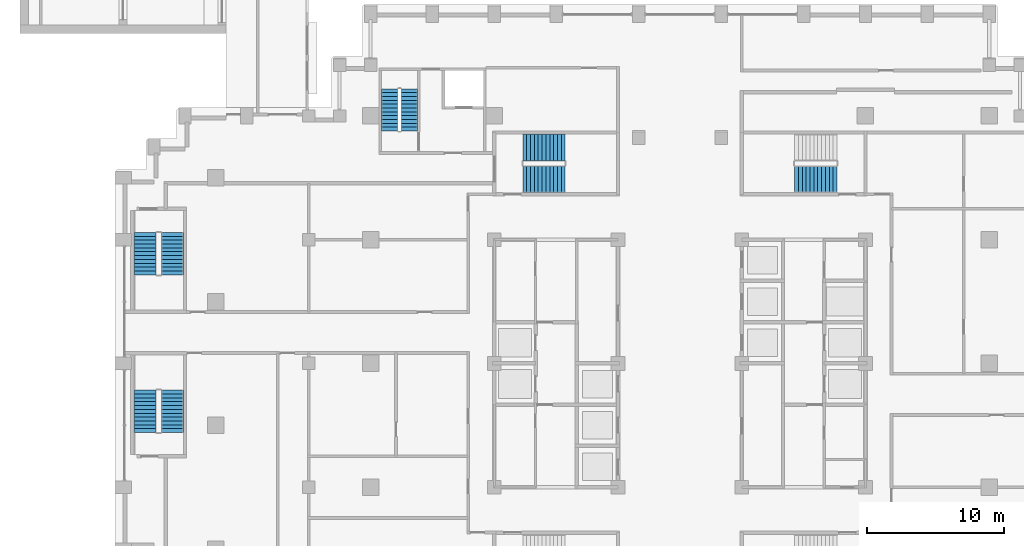
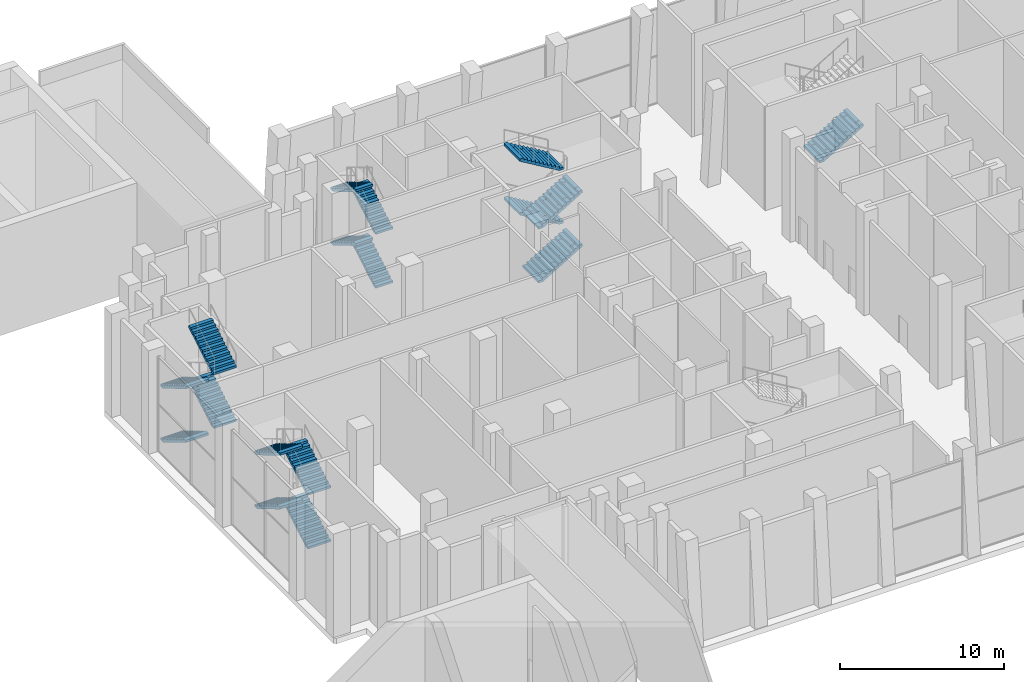
# One storey, part 18 of 24: 17 stair flights, 5 elements without a shape of their own.
"""IFC4 building model written with IfcOpenShell, lengths in metres."""

from ifc_helpers import new_model, si_unit, direction, frame, origin, place, context, subcontext, project, spatial, polyline, outline, extrude, material, type_object, element, aggregate, save


model = new_model("IFC4")

# Units and contexts
model_context = context("Model", 3, precision=1e-05, world=origin(), true_north=direction((0.0, 1.0)))
body_context = subcontext(model_context, "Body", "Model", "MODEL_VIEW")
ifc_project = project(units=[si_unit("LENGTHUNIT", "METRE"), si_unit("AREAUNIT", "SQUARE_METRE"), si_unit("VOLUMEUNIT", "CUBIC_METRE"), si_unit("PLANEANGLEUNIT", "RADIAN"), si_unit("MASSUNIT", "GRAM", prefix="KILO")], contexts=[model_context])

# Site, building, storey
site_placement = place(None, origin())
site = spatial("IfcSite", under=ifc_project, at=site_placement, CompositionType="ELEMENT")
building_placement = place(site_placement, origin())
building = spatial("IfcBuilding", under=site, at=building_placement, Name="Corbelhall Arena Tower", CompositionType="ELEMENT")
storey_placement = place(building_placement, frame((0.0, 0.0, 60.0)))
storey = spatial("IfcBuildingStorey", under=building, at=storey_placement, Name="L08", CompositionType="ELEMENT", Elevation=60.0)

# Stair, stair flights
ifc_material = material(Name="Concrete C40/50", Category="concrete")
stair_type = type_object("IfcStairType", Name="IN-ST-TOWER", PredefinedType="HALF_TURN_STAIR", material=ifc_material)
stair_1_placement = place(storey_placement, origin())
stair_1 = element("IfcStair", 1, at=stair_1_placement, inside=storey, type_object=stair_type, Name="L08 Exit stair ST1", PredefinedType="HALF_TURN_STAIR")
stair_flight_type = type_object("IfcStairFlightType", Name="IN-SFL-RC", PredefinedType="STRAIGHT", material=ifc_material)
stair_flight_1_placement = place(storey_placement, frame((-11.425048828125, 13.39990234375, 0.0), z_axis=(0.0, 0.0, 1.0), x_axis=(1.0, 0.0, 0.0)))
stair_flight_1 = element("IfcStairFlight", 2, at=stair_flight_1_placement, type_object=stair_flight_type, Name="ST1 flight 1", NumberOfRisers=12, NumberOfTreads=11, PredefinedType="STRAIGHT", RiserHeight=0.166666667, TreadLength=0.28, context=body_context, shape_type="SweptSolid", body=[
    extrude(outline(polyline([(0.0, 0.0), (0.0, 0.166748046875), (0.280029296875, 0.166748046875), (0.280029296875, 0.333251953125), (0.56005859375, 0.333251953125), (0.56005859375, 0.5), (0.840087890625, 0.5), (0.840087890625, 0.666748046875), (1.1201171875, 0.666748046875), (1.1201171875, 0.833251953125), (1.39990234375, 0.833251953125), (1.39990234375, 1.0), (1.679931640625, 1.0), (1.679931640625, 1.166748046875), (1.9599609375, 1.166748046875), (1.9599609375, 1.333251953125), (2.239990234375, 1.333251953125), (2.239990234375, 1.5), (2.52001953125, 1.5), (2.52001953125, 1.666748046875), (2.800048828125, 1.666748046875), (2.800048828125, 1.833251953125), (3.080078125, 1.833251953125), (3.080078125, 2.0), (3.080078125, 1.658935546875), (0.29296875, 0.0), (0.0, 0.0)])), frame((0.0, 0.97509765625, 0.0), z_axis=(0.0, -1.0, 0.0), x_axis=(1.0, 0.0, 0.0)), (0.0, 0.0, 1.0), 0.449951171875),
    extrude(outline(polyline([(0.0, 0.0), (0.0, 0.166748046875), (0.280029296875, 0.166748046875), (0.280029296875, 0.333251953125), (0.56005859375, 0.333251953125), (0.56005859375, 0.5), (0.840087890625, 0.5), (0.840087890625, 0.666748046875), (1.1201171875, 0.666748046875), (1.1201171875, 0.833251953125), (1.39990234375, 0.833251953125), (1.39990234375, 1.0), (1.679931640625, 1.0), (1.679931640625, 1.166748046875), (1.9599609375, 1.166748046875), (1.9599609375, 1.333251953125), (2.239990234375, 1.333251953125), (2.239990234375, 1.5), (2.52001953125, 1.5), (2.52001953125, 1.666748046875), (2.800048828125, 1.666748046875), (2.800048828125, 1.833251953125), (3.080078125, 1.833251953125), (3.080078125, 2.0), (3.080078125, 1.658935546875), (0.29296875, 0.0), (0.0, 0.0)])), frame((0.0, 0.52099609375, 0.0), z_axis=(0.0, -1.0, 0.0), x_axis=(1.0, 0.0, 0.0)), (0.0, 0.0, 1.0), 1.0419921875),
    extrude(outline(polyline([(0.0, 0.0), (0.0, 0.166748046875), (0.280029296875, 0.166748046875), (0.280029296875, 0.333251953125), (0.56005859375, 0.333251953125), (0.56005859375, 0.5), (0.840087890625, 0.5), (0.840087890625, 0.666748046875), (1.1201171875, 0.666748046875), (1.1201171875, 0.833251953125), (1.39990234375, 0.833251953125), (1.39990234375, 1.0), (1.679931640625, 1.0), (1.679931640625, 1.166748046875), (1.9599609375, 1.166748046875), (1.9599609375, 1.333251953125), (2.239990234375, 1.333251953125), (2.239990234375, 1.5), (2.52001953125, 1.5), (2.52001953125, 1.666748046875), (2.800048828125, 1.666748046875), (2.800048828125, 1.833251953125), (3.080078125, 1.833251953125), (3.080078125, 2.0), (3.080078125, 1.658935546875), (0.29296875, 0.0), (0.0, 0.0)])), frame((0.0, -0.52490234375, 0.0), z_axis=(0.0, -1.0, 0.0), x_axis=(1.0, 0.0, 0.0)), (0.0, 0.0, 1.0), 0.449951171875),
])
stair_flight_2_placement = place(storey_placement, frame((-8.344970703125, 15.699951171875, 2.0), z_axis=(0.0, 0.0, 1.0), x_axis=(-1.0, 0.0, 0.0)))
stair_flight_2 = element("IfcStairFlight", 3, at=stair_flight_2_placement, type_object=stair_flight_type, Name="ST1 flight 2", NumberOfRisers=12, NumberOfTreads=11, PredefinedType="STRAIGHT", RiserHeight=0.166666667, TreadLength=0.28, context=body_context, shape_type="SweptSolid", body=[
    extrude(outline(polyline([(0.0, 0.0), (0.0, 0.166748046875), (0.280029296875, 0.166748046875), (0.280029296875, 0.333251953125), (0.56005859375, 0.333251953125), (0.56005859375, 0.5), (0.840087890625, 0.5), (0.840087890625, 0.666748046875), (1.1201171875, 0.666748046875), (1.1201171875, 0.833251953125), (1.39990234375, 0.833251953125), (1.39990234375, 1.0), (1.679931640625, 1.0), (1.679931640625, 1.166748046875), (1.9599609375, 1.166748046875), (1.9599609375, 1.333251953125), (2.239990234375, 1.333251953125), (2.239990234375, 1.5), (2.52001953125, 1.5), (2.52001953125, 1.666748046875), (2.800048828125, 1.666748046875), (2.800048828125, 1.833251953125), (3.080078125, 1.833251953125), (3.080078125, 2.0), (3.080078125, 1.658935546875), (0.29296875, 0.0), (0.0, 0.0)])), frame((0.0, 0.97509765625, 0.0), z_axis=(0.0, -1.0, 0.0), x_axis=(1.0, 0.0, 0.0)), (0.0, 0.0, 1.0), 0.449951171875),
    extrude(outline(polyline([(0.0, 0.0), (0.0, 0.166748046875), (0.280029296875, 0.166748046875), (0.280029296875, 0.333251953125), (0.56005859375, 0.333251953125), (0.56005859375, 0.5), (0.840087890625, 0.5), (0.840087890625, 0.666748046875), (1.1201171875, 0.666748046875), (1.1201171875, 0.833251953125), (1.39990234375, 0.833251953125), (1.39990234375, 1.0), (1.679931640625, 1.0), (1.679931640625, 1.166748046875), (1.9599609375, 1.166748046875), (1.9599609375, 1.333251953125), (2.239990234375, 1.333251953125), (2.239990234375, 1.5), (2.52001953125, 1.5), (2.52001953125, 1.666748046875), (2.800048828125, 1.666748046875), (2.800048828125, 1.833251953125), (3.080078125, 1.833251953125), (3.080078125, 2.0), (3.080078125, 1.658935546875), (0.29296875, 0.0), (0.0, 0.0)])), frame((0.0, 0.52099609375, 0.0), z_axis=(0.0, -1.0, 0.0), x_axis=(1.0, 0.0, 0.0)), (0.0, 0.0, 1.0), 1.0419921875),
    extrude(outline(polyline([(0.0, 0.0), (0.0, 0.166748046875), (0.280029296875, 0.166748046875), (0.280029296875, 0.333251953125), (0.56005859375, 0.333251953125), (0.56005859375, 0.5), (0.840087890625, 0.5), (0.840087890625, 0.666748046875), (1.1201171875, 0.666748046875), (1.1201171875, 0.833251953125), (1.39990234375, 0.833251953125), (1.39990234375, 1.0), (1.679931640625, 1.0), (1.679931640625, 1.166748046875), (1.9599609375, 1.166748046875), (1.9599609375, 1.333251953125), (2.239990234375, 1.333251953125), (2.239990234375, 1.5), (2.52001953125, 1.5), (2.52001953125, 1.666748046875), (2.800048828125, 1.666748046875), (2.800048828125, 1.833251953125), (3.080078125, 1.833251953125), (3.080078125, 2.0), (3.080078125, 1.658935546875), (0.29296875, 0.0), (0.0, 0.0)])), frame((0.0, -0.52490234375, 0.0), z_axis=(0.0, -1.0, 0.0), x_axis=(1.0, 0.0, 0.0)), (0.0, 0.0, 1.0), 0.449951171875),
])
stair_flight_3_placement = place(storey_placement, frame((-11.425048828125, 13.39990234375, 4.0), z_axis=(0.0, 0.0, 1.0), x_axis=(1.0, 0.0, 0.0)))
stair_flight_3 = element("IfcStairFlight", 4, at=stair_flight_3_placement, type_object=stair_flight_type, Name="ST1 flight 3", NumberOfRisers=12, NumberOfTreads=11, PredefinedType="STRAIGHT", RiserHeight=0.166666667, TreadLength=0.28, context=body_context, shape_type="SweptSolid", body=[
    extrude(outline(polyline([(0.0, 0.0), (0.0, 0.166748046875), (0.280029296875, 0.166748046875), (0.280029296875, 0.333251953125), (0.56005859375, 0.333251953125), (0.56005859375, 0.5), (0.840087890625, 0.5), (0.840087890625, 0.666748046875), (1.1201171875, 0.666748046875), (1.1201171875, 0.833251953125), (1.39990234375, 0.833251953125), (1.39990234375, 1.0), (1.679931640625, 1.0), (1.679931640625, 1.166748046875), (1.9599609375, 1.166748046875), (1.9599609375, 1.333251953125), (2.239990234375, 1.333251953125), (2.239990234375, 1.5), (2.52001953125, 1.5), (2.52001953125, 1.666748046875), (2.800048828125, 1.666748046875), (2.800048828125, 1.833251953125), (3.080078125, 1.833251953125), (3.080078125, 2.0), (3.080078125, 1.658935546875), (0.29296875, 0.0), (0.0, 0.0)])), frame((0.0, 0.97509765625, 0.0), z_axis=(0.0, -1.0, 0.0), x_axis=(1.0, 0.0, 0.0)), (0.0, 0.0, 1.0), 0.449951171875),
    extrude(outline(polyline([(0.0, 0.0), (0.0, 0.166748046875), (0.280029296875, 0.166748046875), (0.280029296875, 0.333251953125), (0.56005859375, 0.333251953125), (0.56005859375, 0.5), (0.840087890625, 0.5), (0.840087890625, 0.666748046875), (1.1201171875, 0.666748046875), (1.1201171875, 0.833251953125), (1.39990234375, 0.833251953125), (1.39990234375, 1.0), (1.679931640625, 1.0), (1.679931640625, 1.166748046875), (1.9599609375, 1.166748046875), (1.9599609375, 1.333251953125), (2.239990234375, 1.333251953125), (2.239990234375, 1.5), (2.52001953125, 1.5), (2.52001953125, 1.666748046875), (2.800048828125, 1.666748046875), (2.800048828125, 1.833251953125), (3.080078125, 1.833251953125), (3.080078125, 2.0), (3.080078125, 1.658935546875), (0.29296875, 0.0), (0.0, 0.0)])), frame((0.0, 0.52099609375, 0.0), z_axis=(0.0, -1.0, 0.0), x_axis=(1.0, 0.0, 0.0)), (0.0, 0.0, 1.0), 1.0419921875),
    extrude(outline(polyline([(0.0, 0.0), (0.0, 0.166748046875), (0.280029296875, 0.166748046875), (0.280029296875, 0.333251953125), (0.56005859375, 0.333251953125), (0.56005859375, 0.5), (0.840087890625, 0.5), (0.840087890625, 0.666748046875), (1.1201171875, 0.666748046875), (1.1201171875, 0.833251953125), (1.39990234375, 0.833251953125), (1.39990234375, 1.0), (1.679931640625, 1.0), (1.679931640625, 1.166748046875), (1.9599609375, 1.166748046875), (1.9599609375, 1.333251953125), (2.239990234375, 1.333251953125), (2.239990234375, 1.5), (2.52001953125, 1.5), (2.52001953125, 1.666748046875), (2.800048828125, 1.666748046875), (2.800048828125, 1.833251953125), (3.080078125, 1.833251953125), (3.080078125, 2.0), (3.080078125, 1.658935546875), (0.29296875, 0.0), (0.0, 0.0)])), frame((0.0, -0.52490234375, 0.0), z_axis=(0.0, -1.0, 0.0), x_axis=(1.0, 0.0, 0.0)), (0.0, 0.0, 1.0), 0.449951171875),
])
stair_flight_4_placement = place(storey_placement, frame((-8.344970703125, 15.699951171875, 6.0), z_axis=(0.0, 0.0, 1.0), x_axis=(-1.0, 0.0, 0.0)))
stair_flight_4 = element("IfcStairFlight", 5, at=stair_flight_4_placement, type_object=stair_flight_type, Name="ST1 flight 4", NumberOfRisers=12, NumberOfTreads=11, PredefinedType="STRAIGHT", RiserHeight=0.166666667, TreadLength=0.28, context=body_context, shape_type="SweptSolid", body=[
    extrude(outline(polyline([(0.0, 0.0), (0.0, 0.166748046875), (0.280029296875, 0.166748046875), (0.280029296875, 0.333251953125), (0.56005859375, 0.333251953125), (0.56005859375, 0.5), (0.840087890625, 0.5), (0.840087890625, 0.666748046875), (1.1201171875, 0.666748046875), (1.1201171875, 0.833251953125), (1.39990234375, 0.833251953125), (1.39990234375, 1.0), (1.679931640625, 1.0), (1.679931640625, 1.166748046875), (1.9599609375, 1.166748046875), (1.9599609375, 1.333251953125), (2.239990234375, 1.333251953125), (2.239990234375, 1.5), (2.52001953125, 1.5), (2.52001953125, 1.666748046875), (2.800048828125, 1.666748046875), (2.800048828125, 1.833251953125), (3.080078125, 1.833251953125), (3.080078125, 2.0), (3.080078125, 1.658935546875), (0.29296875, 0.0), (0.0, 0.0)])), frame((0.0, 0.97509765625, 0.0), z_axis=(0.0, -1.0, 0.0), x_axis=(1.0, 0.0, 0.0)), (0.0, 0.0, 1.0), 0.449951171875),
    extrude(outline(polyline([(0.0, 0.0), (0.0, 0.166748046875), (0.280029296875, 0.166748046875), (0.280029296875, 0.333251953125), (0.56005859375, 0.333251953125), (0.56005859375, 0.5), (0.840087890625, 0.5), (0.840087890625, 0.666748046875), (1.1201171875, 0.666748046875), (1.1201171875, 0.833251953125), (1.39990234375, 0.833251953125), (1.39990234375, 1.0), (1.679931640625, 1.0), (1.679931640625, 1.166748046875), (1.9599609375, 1.166748046875), (1.9599609375, 1.333251953125), (2.239990234375, 1.333251953125), (2.239990234375, 1.5), (2.52001953125, 1.5), (2.52001953125, 1.666748046875), (2.800048828125, 1.666748046875), (2.800048828125, 1.833251953125), (3.080078125, 1.833251953125), (3.080078125, 2.0), (3.080078125, 1.658935546875), (0.29296875, 0.0), (0.0, 0.0)])), frame((0.0, 0.52099609375, 0.0), z_axis=(0.0, -1.0, 0.0), x_axis=(1.0, 0.0, 0.0)), (0.0, 0.0, 1.0), 1.0419921875),
    extrude(outline(polyline([(0.0, 0.0), (0.0, 0.166748046875), (0.280029296875, 0.166748046875), (0.280029296875, 0.333251953125), (0.56005859375, 0.333251953125), (0.56005859375, 0.5), (0.840087890625, 0.5), (0.840087890625, 0.666748046875), (1.1201171875, 0.666748046875), (1.1201171875, 0.833251953125), (1.39990234375, 0.833251953125), (1.39990234375, 1.0), (1.679931640625, 1.0), (1.679931640625, 1.166748046875), (1.9599609375, 1.166748046875), (1.9599609375, 1.333251953125), (2.239990234375, 1.333251953125), (2.239990234375, 1.5), (2.52001953125, 1.5), (2.52001953125, 1.666748046875), (2.800048828125, 1.666748046875), (2.800048828125, 1.833251953125), (3.080078125, 1.833251953125), (3.080078125, 2.0), (3.080078125, 1.658935546875), (0.29296875, 0.0), (0.0, 0.0)])), frame((0.0, -0.52490234375, 0.0), z_axis=(0.0, -1.0, 0.0), x_axis=(1.0, 0.0, 0.0)), (0.0, 0.0, 1.0), 0.449951171875),
])
aggregate(stair_1, [stair_flight_1, stair_flight_2, stair_flight_3, stair_flight_4])

# Stair, stair flight
stair_2_placement = place(storey_placement, origin())
stair_2 = element("IfcStair", 6, at=stair_2_placement, inside=storey, type_object=stair_type, Name="L08 Exit stair ST3", PredefinedType="HALF_TURN_STAIR")
stair_flight_5_placement = place(storey_placement, frame((8.344970703125, 13.39990234375, 2.0), z_axis=(0.0, 0.0, 1.0), x_axis=(1.0, 0.0, 0.0)))
stair_flight_5 = element("IfcStairFlight", 7, at=stair_flight_5_placement, type_object=stair_flight_type, Name="ST3 flight 2", NumberOfRisers=12, NumberOfTreads=11, PredefinedType="STRAIGHT", RiserHeight=0.166666667, TreadLength=0.28, context=body_context, shape_type="SweptSolid", body=[
    extrude(outline(polyline([(0.0, 0.0), (0.0, 0.166748046875), (0.280029296875, 0.166748046875), (0.280029296875, 0.333251953125), (0.56005859375, 0.333251953125), (0.56005859375, 0.5), (0.840087890625, 0.5), (0.840087890625, 0.666748046875), (1.1201171875, 0.666748046875), (1.1201171875, 0.833251953125), (1.39990234375, 0.833251953125), (1.39990234375, 1.0), (1.679931640625, 1.0), (1.679931640625, 1.166748046875), (1.9599609375, 1.166748046875), (1.9599609375, 1.333251953125), (2.239990234375, 1.333251953125), (2.239990234375, 1.5), (2.52001953125, 1.5), (2.52001953125, 1.666748046875), (2.800048828125, 1.666748046875), (2.800048828125, 1.833251953125), (3.080078125, 1.833251953125), (3.080078125, 2.0), (3.080078125, 1.658935546875), (0.29296875, 0.0), (0.0, 0.0)])), frame((0.0, 0.97509765625, 0.0), z_axis=(0.0, -1.0, 0.0), x_axis=(1.0, 0.0, 0.0)), (0.0, 0.0, 1.0), 0.449951171875),
    extrude(outline(polyline([(0.0, 0.0), (0.0, 0.166748046875), (0.280029296875, 0.166748046875), (0.280029296875, 0.333251953125), (0.56005859375, 0.333251953125), (0.56005859375, 0.5), (0.840087890625, 0.5), (0.840087890625, 0.666748046875), (1.1201171875, 0.666748046875), (1.1201171875, 0.833251953125), (1.39990234375, 0.833251953125), (1.39990234375, 1.0), (1.679931640625, 1.0), (1.679931640625, 1.166748046875), (1.9599609375, 1.166748046875), (1.9599609375, 1.333251953125), (2.239990234375, 1.333251953125), (2.239990234375, 1.5), (2.52001953125, 1.5), (2.52001953125, 1.666748046875), (2.800048828125, 1.666748046875), (2.800048828125, 1.833251953125), (3.080078125, 1.833251953125), (3.080078125, 2.0), (3.080078125, 1.658935546875), (0.29296875, 0.0), (0.0, 0.0)])), frame((0.0, 0.52099609375, 0.0), z_axis=(0.0, -1.0, 0.0), x_axis=(1.0, 0.0, 0.0)), (0.0, 0.0, 1.0), 1.0419921875),
    extrude(outline(polyline([(0.0, 0.0), (0.0, 0.166748046875), (0.280029296875, 0.166748046875), (0.280029296875, 0.333251953125), (0.56005859375, 0.333251953125), (0.56005859375, 0.5), (0.840087890625, 0.5), (0.840087890625, 0.666748046875), (1.1201171875, 0.666748046875), (1.1201171875, 0.833251953125), (1.39990234375, 0.833251953125), (1.39990234375, 1.0), (1.679931640625, 1.0), (1.679931640625, 1.166748046875), (1.9599609375, 1.166748046875), (1.9599609375, 1.333251953125), (2.239990234375, 1.333251953125), (2.239990234375, 1.5), (2.52001953125, 1.5), (2.52001953125, 1.666748046875), (2.800048828125, 1.666748046875), (2.800048828125, 1.833251953125), (3.080078125, 1.833251953125), (3.080078125, 2.0), (3.080078125, 1.658935546875), (0.29296875, 0.0), (0.0, 0.0)])), frame((0.0, -0.52490234375, 0.0), z_axis=(0.0, -1.0, 0.0), x_axis=(1.0, 0.0, 0.0)), (0.0, 0.0, 1.0), 0.449951171875),
])
aggregate(stair_2, [stair_flight_5])

# Stair, stair flights
stair_3_placement = place(storey_placement, origin())
stair_3 = element("IfcStair", 8, at=stair_3_placement, inside=storey, type_object=stair_type, Name="L08 Exit stair SC1", PredefinedType="HALF_TURN_STAIR")
stair_flight_6_placement = place(storey_placement, frame((-38.89990234375, 9.52490234375, 0.0), z_axis=(0.0, 0.0, 1.0), x_axis=(0.0, -1.0, 0.0)))
stair_flight_6 = element("IfcStairFlight", 9, at=stair_flight_6_placement, type_object=stair_flight_type, Name="SC1 flight 1", NumberOfRisers=12, NumberOfTreads=11, PredefinedType="STRAIGHT", RiserHeight=0.166666667, TreadLength=0.28, context=body_context, shape_type="SweptSolid", body=[
    extrude(outline(polyline([(0.0, 0.0), (0.0, 0.166748046875), (0.280029296875, 0.166748046875), (0.280029296875, 0.333251953125), (0.56005859375, 0.333251953125), (0.56005859375, 0.5), (0.840087890625, 0.5), (0.840087890625, 0.666748046875), (1.1201171875, 0.666748046875), (1.1201171875, 0.833251953125), (1.39990234375, 0.833251953125), (1.39990234375, 1.0), (1.679931640625, 1.0), (1.679931640625, 1.166748046875), (1.9599609375, 1.166748046875), (1.9599609375, 1.333251953125), (2.239990234375, 1.333251953125), (2.239990234375, 1.5), (2.52001953125, 1.5), (2.52001953125, 1.666748046875), (2.800048828125, 1.666748046875), (2.800048828125, 1.833251953125), (3.080078125, 1.833251953125), (3.080078125, 2.0), (3.080078125, 1.658935546875), (0.29296875, 0.0), (0.0, 0.0)])), frame((0.0, 0.800048828125, 0.0), z_axis=(0.0, -1.0, 0.0), x_axis=(1.0, 0.0, 0.0)), (0.0, 0.0, 1.0), 1.60009765625),
])
stair_flight_7_placement = place(storey_placement, frame((-36.925048828125, 6.445068359375, 2.0), z_axis=(0.0, 0.0, 1.0), x_axis=(0.0, 1.0, 0.0)))
stair_flight_7 = element("IfcStairFlight", 10, at=stair_flight_7_placement, type_object=stair_flight_type, Name="SC1 flight 2", NumberOfRisers=12, NumberOfTreads=11, PredefinedType="STRAIGHT", RiserHeight=0.166666667, TreadLength=0.28, context=body_context, shape_type="SweptSolid", body=[
    extrude(outline(polyline([(0.0, 0.0), (0.0, 0.166748046875), (0.280029296875, 0.166748046875), (0.280029296875, 0.333251953125), (0.56005859375, 0.333251953125), (0.56005859375, 0.5), (0.840087890625, 0.5), (0.840087890625, 0.666748046875), (1.1201171875, 0.666748046875), (1.1201171875, 0.833251953125), (1.39990234375, 0.833251953125), (1.39990234375, 1.0), (1.679931640625, 1.0), (1.679931640625, 1.166748046875), (1.9599609375, 1.166748046875), (1.9599609375, 1.333251953125), (2.239990234375, 1.333251953125), (2.239990234375, 1.5), (2.52001953125, 1.5), (2.52001953125, 1.666748046875), (2.800048828125, 1.666748046875), (2.800048828125, 1.833251953125), (3.080078125, 1.833251953125), (3.080078125, 2.0), (3.080078125, 1.658935546875), (0.29296875, 0.0), (0.0, 0.0)])), frame((0.0, 0.800048828125, 0.0), z_axis=(0.0, -1.0, 0.0), x_axis=(1.0, 0.0, 0.0)), (0.0, 0.0, 1.0), 1.60009765625),
])
stair_flight_8_placement = place(storey_placement, frame((-38.89990234375, 9.52490234375, 4.0), z_axis=(0.0, 0.0, 1.0), x_axis=(0.0, -1.0, 0.0)))
stair_flight_8 = element("IfcStairFlight", 11, at=stair_flight_8_placement, type_object=stair_flight_type, Name="SC1 flight 3", NumberOfRisers=12, NumberOfTreads=11, PredefinedType="STRAIGHT", RiserHeight=0.166666667, TreadLength=0.28, context=body_context, shape_type="SweptSolid", body=[
    extrude(outline(polyline([(0.0, 0.0), (0.0, 0.166748046875), (0.280029296875, 0.166748046875), (0.280029296875, 0.333251953125), (0.56005859375, 0.333251953125), (0.56005859375, 0.5), (0.840087890625, 0.5), (0.840087890625, 0.666748046875), (1.1201171875, 0.666748046875), (1.1201171875, 0.833251953125), (1.39990234375, 0.833251953125), (1.39990234375, 1.0), (1.679931640625, 1.0), (1.679931640625, 1.166748046875), (1.9599609375, 1.166748046875), (1.9599609375, 1.333251953125), (2.239990234375, 1.333251953125), (2.239990234375, 1.5), (2.52001953125, 1.5), (2.52001953125, 1.666748046875), (2.800048828125, 1.666748046875), (2.800048828125, 1.833251953125), (3.080078125, 1.833251953125), (3.080078125, 2.0), (3.080078125, 1.658935546875), (0.29296875, 0.0), (0.0, 0.0)])), frame((0.0, 0.800048828125, 0.0), z_axis=(0.0, -1.0, 0.0), x_axis=(1.0, 0.0, 0.0)), (0.0, 0.0, 1.0), 1.60009765625),
])
stair_flight_9_placement = place(storey_placement, frame((-36.925048828125, 6.445068359375, 6.0), z_axis=(0.0, 0.0, 1.0), x_axis=(0.0, 1.0, 0.0)))
stair_flight_9 = element("IfcStairFlight", 12, at=stair_flight_9_placement, type_object=stair_flight_type, Name="SC1 flight 4", NumberOfRisers=12, NumberOfTreads=11, PredefinedType="STRAIGHT", RiserHeight=0.166666667, TreadLength=0.28, context=body_context, shape_type="SweptSolid", body=[
    extrude(outline(polyline([(0.0, 0.0), (0.0, 0.166748046875), (0.280029296875, 0.166748046875), (0.280029296875, 0.333251953125), (0.56005859375, 0.333251953125), (0.56005859375, 0.5), (0.840087890625, 0.5), (0.840087890625, 0.666748046875), (1.1201171875, 0.666748046875), (1.1201171875, 0.833251953125), (1.39990234375, 0.833251953125), (1.39990234375, 1.0), (1.679931640625, 1.0), (1.679931640625, 1.166748046875), (1.9599609375, 1.166748046875), (1.9599609375, 1.333251953125), (2.239990234375, 1.333251953125), (2.239990234375, 1.5), (2.52001953125, 1.5), (2.52001953125, 1.666748046875), (2.800048828125, 1.666748046875), (2.800048828125, 1.833251953125), (3.080078125, 1.833251953125), (3.080078125, 2.0), (3.080078125, 1.658935546875), (0.29296875, 0.0), (0.0, 0.0)])), frame((0.0, 0.800048828125, 0.0), z_axis=(0.0, -1.0, 0.0), x_axis=(1.0, 0.0, 0.0)), (0.0, 0.0, 1.0), 1.60009765625),
])
aggregate(stair_3, [stair_flight_6, stair_flight_7, stair_flight_8, stair_flight_9])

stair_4_placement = place(storey_placement, origin())
stair_4 = element("IfcStair", 13, at=stair_4_placement, inside=storey, type_object=stair_type, Name="L08 Exit stair SC2", PredefinedType="HALF_TURN_STAIR")
stair_flight_10_placement = place(storey_placement, frame((-36.925048828125, -5.02490234375, 0.0), z_axis=(0.0, 0.0, 1.0), x_axis=(0.0, 1.0, 0.0)))
stair_flight_10 = element("IfcStairFlight", 14, at=stair_flight_10_placement, type_object=stair_flight_type, Name="SC2 flight 1", NumberOfRisers=12, NumberOfTreads=11, PredefinedType="STRAIGHT", RiserHeight=0.166666667, TreadLength=0.28, context=body_context, shape_type="SweptSolid", body=[
    extrude(outline(polyline([(0.0, 0.0), (0.0, 0.166748046875), (0.280029296875, 0.166748046875), (0.280029296875, 0.333251953125), (0.56005859375, 0.333251953125), (0.56005859375, 0.5), (0.840087890625, 0.5), (0.840087890625, 0.666748046875), (1.1201171875, 0.666748046875), (1.1201171875, 0.833251953125), (1.39990234375, 0.833251953125), (1.39990234375, 1.0), (1.679931640625, 1.0), (1.679931640625, 1.166748046875), (1.9599609375, 1.166748046875), (1.9599609375, 1.333251953125), (2.239990234375, 1.333251953125), (2.239990234375, 1.5), (2.52001953125, 1.5), (2.52001953125, 1.666748046875), (2.800048828125, 1.666748046875), (2.800048828125, 1.833251953125), (3.080078125, 1.833251953125), (3.080078125, 2.0), (3.080078125, 1.658935546875), (0.29296875, 0.0), (0.0, 0.0)])), frame((0.0, 0.800048828125, 0.0), z_axis=(0.0, -1.0, 0.0), x_axis=(1.0, 0.0, 0.0)), (0.0, 0.0, 1.0), 1.60009765625),
])
stair_flight_11_placement = place(storey_placement, frame((-38.89990234375, -1.945068359375, 2.0), z_axis=(0.0, 0.0, 1.0), x_axis=(0.0, -1.0, 0.0)))
stair_flight_11 = element("IfcStairFlight", 15, at=stair_flight_11_placement, type_object=stair_flight_type, Name="SC2 flight 2", NumberOfRisers=12, NumberOfTreads=11, PredefinedType="STRAIGHT", RiserHeight=0.166666667, TreadLength=0.28, context=body_context, shape_type="SweptSolid", body=[
    extrude(outline(polyline([(0.0, 0.0), (0.0, 0.166748046875), (0.280029296875, 0.166748046875), (0.280029296875, 0.333251953125), (0.56005859375, 0.333251953125), (0.56005859375, 0.5), (0.840087890625, 0.5), (0.840087890625, 0.666748046875), (1.1201171875, 0.666748046875), (1.1201171875, 0.833251953125), (1.39990234375, 0.833251953125), (1.39990234375, 1.0), (1.679931640625, 1.0), (1.679931640625, 1.166748046875), (1.9599609375, 1.166748046875), (1.9599609375, 1.333251953125), (2.239990234375, 1.333251953125), (2.239990234375, 1.5), (2.52001953125, 1.5), (2.52001953125, 1.666748046875), (2.800048828125, 1.666748046875), (2.800048828125, 1.833251953125), (3.080078125, 1.833251953125), (3.080078125, 2.0), (3.080078125, 1.658935546875), (0.29296875, 0.0), (0.0, 0.0)])), frame((0.0, 0.800048828125, 0.0), z_axis=(0.0, -1.0, 0.0), x_axis=(1.0, 0.0, 0.0)), (0.0, 0.0, 1.0), 1.60009765625),
])
stair_flight_12_placement = place(storey_placement, frame((-36.925048828125, -5.02490234375, 4.0), z_axis=(0.0, 0.0, 1.0), x_axis=(0.0, 1.0, 0.0)))
stair_flight_12 = element("IfcStairFlight", 16, at=stair_flight_12_placement, type_object=stair_flight_type, Name="SC2 flight 3", NumberOfRisers=12, NumberOfTreads=11, PredefinedType="STRAIGHT", RiserHeight=0.166666667, TreadLength=0.28, context=body_context, shape_type="SweptSolid", body=[
    extrude(outline(polyline([(0.0, 0.0), (0.0, 0.166748046875), (0.280029296875, 0.166748046875), (0.280029296875, 0.333251953125), (0.56005859375, 0.333251953125), (0.56005859375, 0.5), (0.840087890625, 0.5), (0.840087890625, 0.666748046875), (1.1201171875, 0.666748046875), (1.1201171875, 0.833251953125), (1.39990234375, 0.833251953125), (1.39990234375, 1.0), (1.679931640625, 1.0), (1.679931640625, 1.166748046875), (1.9599609375, 1.166748046875), (1.9599609375, 1.333251953125), (2.239990234375, 1.333251953125), (2.239990234375, 1.5), (2.52001953125, 1.5), (2.52001953125, 1.666748046875), (2.800048828125, 1.666748046875), (2.800048828125, 1.833251953125), (3.080078125, 1.833251953125), (3.080078125, 2.0), (3.080078125, 1.658935546875), (0.29296875, 0.0), (0.0, 0.0)])), frame((0.0, 0.800048828125, 0.0), z_axis=(0.0, -1.0, 0.0), x_axis=(1.0, 0.0, 0.0)), (0.0, 0.0, 1.0), 1.60009765625),
])
stair_flight_13_placement = place(storey_placement, frame((-38.89990234375, -1.945068359375, 6.0), z_axis=(0.0, 0.0, 1.0), x_axis=(0.0, -1.0, 0.0)))
stair_flight_13 = element("IfcStairFlight", 17, at=stair_flight_13_placement, type_object=stair_flight_type, Name="SC2 flight 4", NumberOfRisers=12, NumberOfTreads=11, PredefinedType="STRAIGHT", RiserHeight=0.166666667, TreadLength=0.28, context=body_context, shape_type="SweptSolid", body=[
    extrude(outline(polyline([(0.0, 0.0), (0.0, 0.166748046875), (0.280029296875, 0.166748046875), (0.280029296875, 0.333251953125), (0.56005859375, 0.333251953125), (0.56005859375, 0.5), (0.840087890625, 0.5), (0.840087890625, 0.666748046875), (1.1201171875, 0.666748046875), (1.1201171875, 0.833251953125), (1.39990234375, 0.833251953125), (1.39990234375, 1.0), (1.679931640625, 1.0), (1.679931640625, 1.166748046875), (1.9599609375, 1.166748046875), (1.9599609375, 1.333251953125), (2.239990234375, 1.333251953125), (2.239990234375, 1.5), (2.52001953125, 1.5), (2.52001953125, 1.666748046875), (2.800048828125, 1.666748046875), (2.800048828125, 1.833251953125), (3.080078125, 1.833251953125), (3.080078125, 2.0), (3.080078125, 1.658935546875), (0.29296875, 0.0), (0.0, 0.0)])), frame((0.0, 0.800048828125, 0.0), z_axis=(0.0, -1.0, 0.0), x_axis=(1.0, 0.0, 0.0)), (0.0, 0.0, 1.0), 1.60009765625),
])
aggregate(stair_4, [stair_flight_10, stair_flight_11, stair_flight_12, stair_flight_13])

stair_5_placement = place(storey_placement, origin())
stair_5 = element("IfcStair", 18, at=stair_5_placement, inside=storey, type_object=stair_type, Name="L08 Exit stair ST5", PredefinedType="HALF_TURN_STAIR")
stair_flight_14_placement = place(storey_placement, frame((-19.695068359375, 16.89990234375, 0.0), z_axis=(0.0, 0.0, 1.0), x_axis=(0.0, 1.0, 0.0)))
stair_flight_14 = element("IfcStairFlight", 19, at=stair_flight_14_placement, type_object=stair_flight_type, Name="ST5 flight 1", NumberOfRisers=12, NumberOfTreads=11, PredefinedType="STRAIGHT", RiserHeight=0.166666667, TreadLength=0.28, context=body_context, shape_type="SweptSolid", body=[
    extrude(outline(polyline([(0.0, 0.0), (0.0, 0.166748046875), (0.280029296875, 0.166748046875), (0.280029296875, 0.333251953125), (0.56005859375, 0.333251953125), (0.56005859375, 0.5), (0.840087890625, 0.5), (0.840087890625, 0.666748046875), (1.1201171875, 0.666748046875), (1.1201171875, 0.833251953125), (1.39990234375, 0.833251953125), (1.39990234375, 1.0), (1.679931640625, 1.0), (1.679931640625, 1.166748046875), (1.9599609375, 1.166748046875), (1.9599609375, 1.333251953125), (2.239990234375, 1.333251953125), (2.239990234375, 1.5), (2.52001953125, 1.5), (2.52001953125, 1.666748046875), (2.800048828125, 1.666748046875), (2.800048828125, 1.833251953125), (3.080078125, 1.833251953125), (3.080078125, 2.0), (3.080078125, 1.658935546875), (0.29296875, 0.0), (0.0, 0.0)])), frame((0.0, 0.60009765625, 0.0), z_axis=(0.0, -1.0, 0.0), x_axis=(1.0, 0.0, 0.0)), (0.0, 0.0, 1.0), 1.199951171875),
])
stair_flight_15_placement = place(storey_placement, frame((-21.094970703125, 19.97998046875, 2.0), z_axis=(0.0, 0.0, 1.0), x_axis=(0.0, -1.0, 0.0)))
stair_flight_15 = element("IfcStairFlight", 20, at=stair_flight_15_placement, type_object=stair_flight_type, Name="ST5 flight 2", NumberOfRisers=12, NumberOfTreads=11, PredefinedType="STRAIGHT", RiserHeight=0.166666667, TreadLength=0.28, context=body_context, shape_type="SweptSolid", body=[
    extrude(outline(polyline([(0.0, 0.0), (0.0, 0.166748046875), (0.280029296875, 0.166748046875), (0.280029296875, 0.333251953125), (0.56005859375, 0.333251953125), (0.56005859375, 0.5), (0.840087890625, 0.5), (0.840087890625, 0.666748046875), (1.1201171875, 0.666748046875), (1.1201171875, 0.833251953125), (1.39990234375, 0.833251953125), (1.39990234375, 1.0), (1.679931640625, 1.0), (1.679931640625, 1.166748046875), (1.9599609375, 1.166748046875), (1.9599609375, 1.333251953125), (2.239990234375, 1.333251953125), (2.239990234375, 1.5), (2.52001953125, 1.5), (2.52001953125, 1.666748046875), (2.800048828125, 1.666748046875), (2.800048828125, 1.833251953125), (3.080078125, 1.833251953125), (3.080078125, 2.0), (3.080078125, 1.658935546875), (0.29296875, 0.0), (0.0, 0.0)])), frame((0.0, 0.60009765625, 0.0), z_axis=(0.0, -1.0, 0.0), x_axis=(1.0, 0.0, 0.0)), (0.0, 0.0, 1.0), 1.199951171875),
])
stair_flight_16_placement = place(storey_placement, frame((-19.695068359375, 16.89990234375, 4.0), z_axis=(0.0, 0.0, 1.0), x_axis=(0.0, 1.0, 0.0)))
stair_flight_16 = element("IfcStairFlight", 21, at=stair_flight_16_placement, type_object=stair_flight_type, Name="ST5 flight 3", NumberOfRisers=12, NumberOfTreads=11, PredefinedType="STRAIGHT", RiserHeight=0.166666667, TreadLength=0.28, context=body_context, shape_type="SweptSolid", body=[
    extrude(outline(polyline([(0.0, 0.0), (0.0, 0.166748046875), (0.280029296875, 0.166748046875), (0.280029296875, 0.333251953125), (0.56005859375, 0.333251953125), (0.56005859375, 0.5), (0.840087890625, 0.5), (0.840087890625, 0.666748046875), (1.1201171875, 0.666748046875), (1.1201171875, 0.833251953125), (1.39990234375, 0.833251953125), (1.39990234375, 1.0), (1.679931640625, 1.0), (1.679931640625, 1.166748046875), (1.9599609375, 1.166748046875), (1.9599609375, 1.333251953125), (2.239990234375, 1.333251953125), (2.239990234375, 1.5), (2.52001953125, 1.5), (2.52001953125, 1.666748046875), (2.800048828125, 1.666748046875), (2.800048828125, 1.833251953125), (3.080078125, 1.833251953125), (3.080078125, 2.0), (3.080078125, 1.658935546875), (0.29296875, 0.0), (0.0, 0.0)])), frame((0.0, 0.60009765625, 0.0), z_axis=(0.0, -1.0, 0.0), x_axis=(1.0, 0.0, 0.0)), (0.0, 0.0, 1.0), 1.199951171875),
])
stair_flight_17_placement = place(storey_placement, frame((-21.094970703125, 19.97998046875, 6.0), z_axis=(0.0, 0.0, 1.0), x_axis=(0.0, -1.0, 0.0)))
stair_flight_17 = element("IfcStairFlight", 22, at=stair_flight_17_placement, type_object=stair_flight_type, Name="ST5 flight 4", NumberOfRisers=12, NumberOfTreads=11, PredefinedType="STRAIGHT", RiserHeight=0.166666667, TreadLength=0.28, context=body_context, shape_type="SweptSolid", body=[
    extrude(outline(polyline([(0.0, 0.0), (0.0, 0.166748046875), (0.280029296875, 0.166748046875), (0.280029296875, 0.333251953125), (0.56005859375, 0.333251953125), (0.56005859375, 0.5), (0.840087890625, 0.5), (0.840087890625, 0.666748046875), (1.1201171875, 0.666748046875), (1.1201171875, 0.833251953125), (1.39990234375, 0.833251953125), (1.39990234375, 1.0), (1.679931640625, 1.0), (1.679931640625, 1.166748046875), (1.9599609375, 1.166748046875), (1.9599609375, 1.333251953125), (2.239990234375, 1.333251953125), (2.239990234375, 1.5), (2.52001953125, 1.5), (2.52001953125, 1.666748046875), (2.800048828125, 1.666748046875), (2.800048828125, 1.833251953125), (3.080078125, 1.833251953125), (3.080078125, 2.0), (3.080078125, 1.658935546875), (0.29296875, 0.0), (0.0, 0.0)])), frame((0.0, 0.60009765625, 0.0), z_axis=(0.0, -1.0, 0.0), x_axis=(1.0, 0.0, 0.0)), (0.0, 0.0, 1.0), 1.199951171875),
])
aggregate(stair_5, [stair_flight_14, stair_flight_15, stair_flight_16, stair_flight_17])

save(model, "model.ifc")
